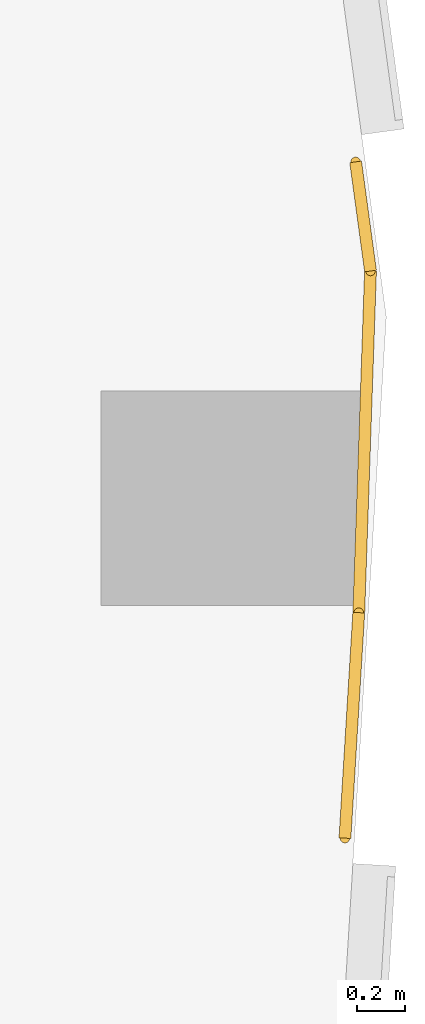
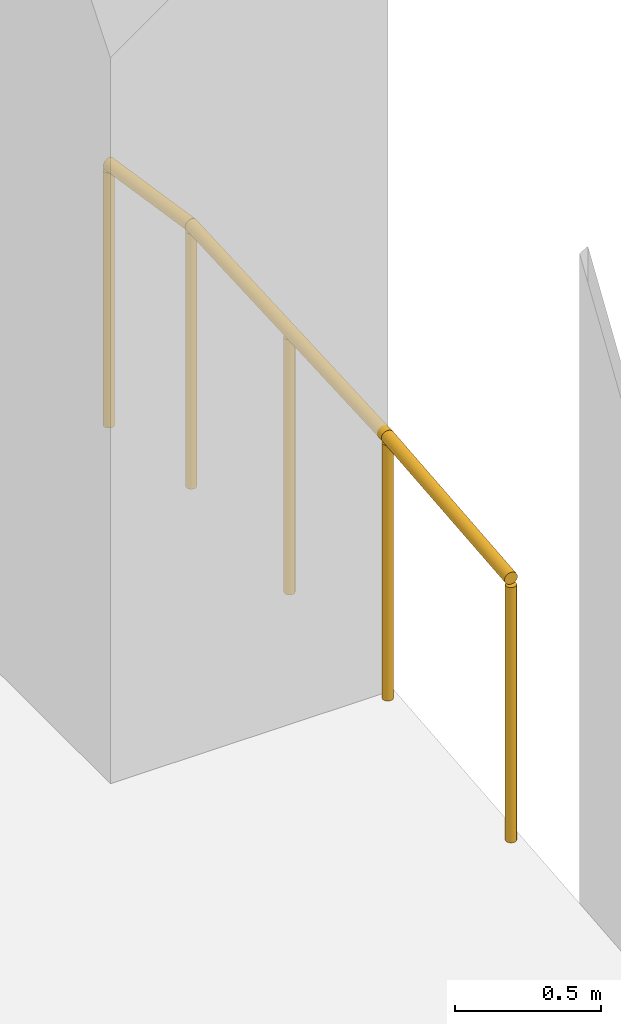
# One storey, part 34 of 34: 3 railings.
"""IFC4 building model written with IfcOpenShell, lengths in metres."""

from ifc_helpers import new_model, si_unit, direction, frame, origin, origin_2d, place, context, subcontext, project, spatial, circle, extrude, material, type_object, element, save


model = new_model("IFC4")

# Units and contexts
model_context = context("Model", 3, precision=1e-05, world=origin(), true_north=direction((0.0, 1.0)))
body_context = subcontext(model_context, "Body", "Model", "MODEL_VIEW")
ifc_project = project(units=[si_unit("LENGTHUNIT", "METRE"), si_unit("AREAUNIT", "SQUARE_METRE"), si_unit("VOLUMEUNIT", "CUBIC_METRE"), si_unit("PLANEANGLEUNIT", "RADIAN"), si_unit("MASSUNIT", "GRAM", prefix="KILO")], contexts=[model_context])

# Site, building, storey
site_placement = place(None, origin())
site = spatial("IfcSite", under=ifc_project, at=site_placement, CompositionType="ELEMENT")
building_placement = place(site_placement, origin())
building = spatial("IfcBuilding", under=site, at=building_placement, Name="Orlundy Tower", CompositionType="ELEMENT")
storey_placement = place(building_placement, frame((0.0, 0.0, 145.60009765625)))
storey = spatial("IfcBuildingStorey", under=building, at=storey_placement, Name="L37", CompositionType="ELEMENT", Elevation=145.60009765625)

# Railings
ifc_material = material(Name="Stainless steel bronze finish", Category="steel")
railing_type = type_object("IfcRailingType", Name="TG1 terrace guard", PredefinedType="GUARDRAIL", material=ifc_material)
railing_1_placement = place(storey_placement, frame((60.96142578125, 6.979736328125, 0.0)))
element("IfcRailing", 1, at=railing_1_placement, inside=storey, type_object=railing_type, Name="Guard TG-L37-E023", PredefinedType="GUARDRAIL", context=body_context, shape_type="SweptSolid", body=[
    extrude(circle(Radius=0.02490234375, at=origin_2d()), frame((0.0, 0.0, 1.09521484375), z_axis=(-0.034350992983, -0.999409830491, 0.0), x_axis=(0.999409830491, -0.034350992983, 0.0)), (0.0, 0.0, 1.0), 1.435546875),
    extrude(circle(Radius=0.02001953125, at=origin_2d()), origin(), (0.0, 0.0, 1.0), 1.070068359375),
    extrude(circle(Radius=0.02001953125, at=origin_2d()), frame((-0.024658203125, -0.71728515625, 0.0)), (0.0, 0.0, 1.0), 1.070068359375),
    extrude(circle(Radius=0.02001953125, at=origin_2d()), frame((-0.04931640625, -1.434814453125, 0.0)), (0.0, 0.0, 1.0), 1.070068359375),
])
railing_2_placement = place(storey_placement, frame((60.912109375, 5.544921875, 0.0)))
element("IfcRailing", 2, at=railing_2_placement, inside=storey, type_object=railing_type, Name="Guard TG-L37-E027", PredefinedType="GUARDRAIL", context=body_context, shape_type="SweptSolid", body=[
    extrude(circle(Radius=0.02490234375, at=origin_2d()), frame((0.0, 0.0, 1.09521484375), z_axis=(-0.061240855404, -0.998123017283, 0.0), x_axis=(0.998123017283, -0.061240855404, 0.0)), (0.0, 0.0, 1.0), 0.94873046875),
    extrude(circle(Radius=0.02001953125, at=origin_2d()), origin(), (0.0, 0.0, 1.0), 1.070068359375),
    extrude(circle(Radius=0.02001953125, at=origin_2d()), frame((-0.05810546875, -0.947021484375, 0.0)), (0.0, 0.0, 1.0), 1.070068359375),
])
railing_3_placement = place(storey_placement, frame((60.89892578125, 7.438232421875, 0.0)))
element("IfcRailing", 3, at=railing_3_placement, inside=storey, type_object=railing_type, Name="Guard TG-L37-E031", PredefinedType="GUARDRAIL", context=body_context, shape_type="SweptSolid", body=[
    extrude(circle(Radius=0.02490234375, at=origin_2d()), frame((0.0, 0.0, 1.09521484375), z_axis=(0.135066116368, -0.990836588045, 0.0), x_axis=(0.990836588045, 0.135066116368, 0.0)), (0.0, 0.0, 1.0), 0.462646484375),
    extrude(circle(Radius=0.02001953125, at=origin_2d()), origin(), (0.0, 0.0, 1.0), 1.070068359375),
    extrude(circle(Radius=0.02001953125, at=origin_2d()), frame((0.0625, -0.45849609375, 0.0)), (0.0, 0.0, 1.0), 1.070068359375),
])

save(model, "model.ifc")
